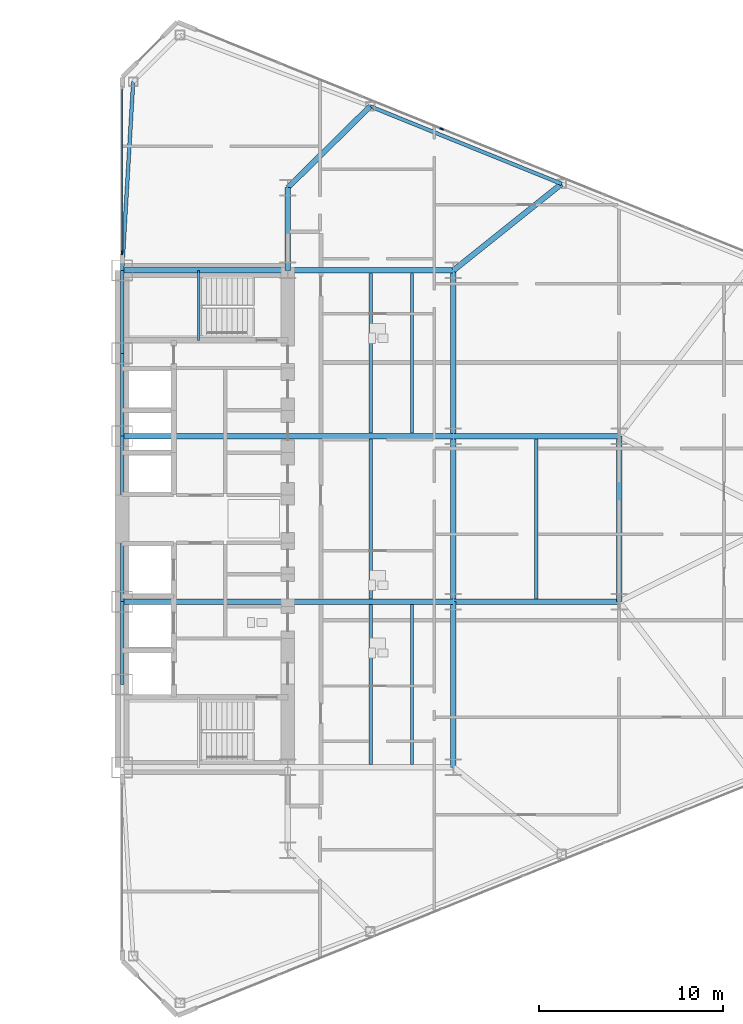
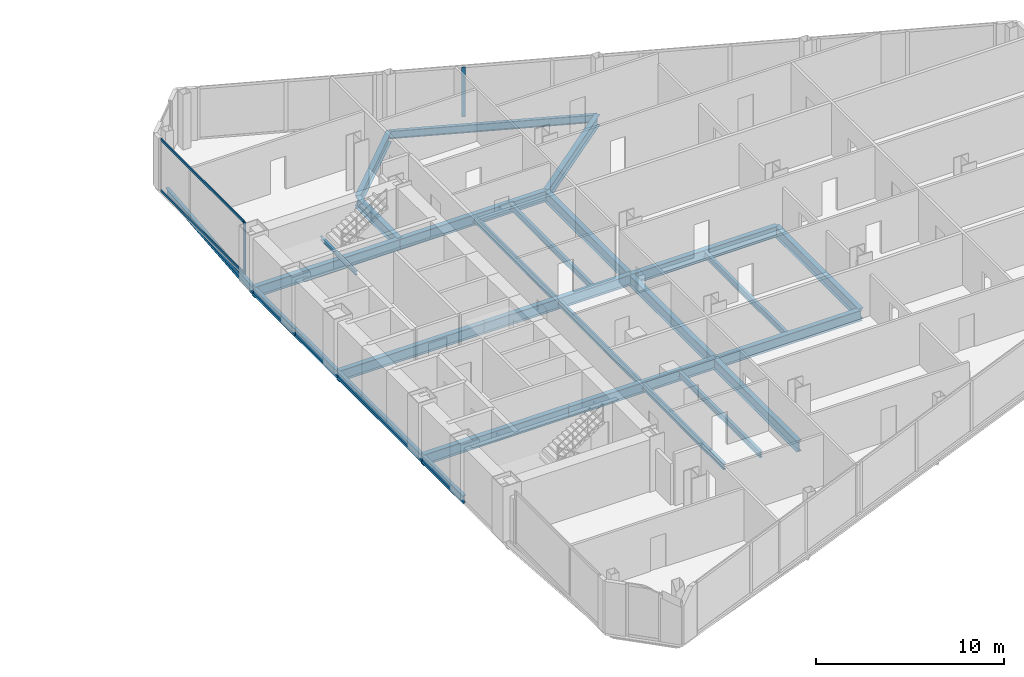
# One storey, part 11 of 25: 28 beams, 4 members, 2 elements without a shape of their own.
"""IFC4 building model written with IfcOpenShell, lengths in metres."""

import ifcopenshell
import ifcopenshell.guid

model = None  # the IFC model being written
_history = None  # IfcOwnerHistory: only IFC2X3 demands one
_inside = {}  # id of a spatial element -> (the spatial element, [elements in it])
_under = {}  # id of a project, library or spatial element -> (it, [spatial elements below it])
_declared = {}  # id of a project -> (the project, [libraries it declares])
_typed = {}  # id of a type object -> (the type object, [elements of that type])
_made_of = {}  # id of a material, layer set ... -> (it, [elements and type objects made of it])


def new_model(schema):
    """Start an empty IFC model of exactly this schema.

    Asked for "IFC4X3", IfcOpenShell would pick the latest addendum, in which some entities
    have other attributes; the version numbers below select the first issue.
    IFC2X3 requires an IfcOwnerHistory on every rooted entity: one is made here for all.
    """
    global model, _history
    if schema == "IFC4X3":
        model = ifcopenshell.file(schema_version=(4, 3, 0, 0))
    else:
        model = ifcopenshell.file(schema=schema)
    _inside.clear()
    _under.clear()
    _declared.clear()
    _typed.clear()
    _made_of.clear()
    _history = None
    if model.schema == "IFC2X3":
        org = make("IfcOrganization", Name="unknown")
        user = make(
            "IfcPersonAndOrganization",
            ThePerson=make("IfcPerson", FamilyName="unknown"),
            TheOrganization=org,
        )
        app = make(
            "IfcApplication",
            ApplicationDeveloper=org,
            Version="unknown",
            ApplicationFullName="unknown",
            ApplicationIdentifier="unknown",
        )
        _history = make(
            "IfcOwnerHistory",
            OwningUser=user,
            OwningApplication=app,
            ChangeAction="ADDED",
            CreationDate=0,
        )
    return model


def make(cls, **values):
    """One entity of the class cls with the attributes given. An attribute that is None is left unset."""
    return model.create_entity(
        cls, **{name: value for name, value in values.items() if value is not None}
    )


def rooted(cls, **values):
    """An entity with a GlobalId (a new one), such as an element, a storey or a relation."""
    return make(cls, GlobalId=ifcopenshell.guid.new(), OwnerHistory=_history, **values)


def si_unit(unit_type, name, prefix=None):
    """IfcSIUnit, for example si_unit("LENGTHUNIT", "METRE", prefix="MILLI")."""
    return make("IfcSIUnit", UnitType=unit_type, Prefix=prefix, Name=name)


def assignment(units):
    """IfcUnitAssignment: the units of a project."""
    return None if units is None else make("IfcUnitAssignment", Units=units)


def point(xyz):
    """IfcCartesianPoint."""
    return None if xyz is None else make("IfcCartesianPoint", Coordinates=xyz)


def direction(xyz):
    """IfcDirection."""
    return None if xyz is None else make("IfcDirection", DirectionRatios=xyz)


def frame(location, z_axis=None, x_axis=None):
    """IfcAxis2Placement3D, a coordinate frame: its origin and axes. An axis left out is left unset."""
    return make(
        "IfcAxis2Placement3D",
        Location=point(location),
        Axis=direction(z_axis),
        RefDirection=direction(x_axis),
    )


def frame_2d(location, x_axis=None):
    """IfcAxis2Placement2D, a coordinate frame in the plane: its origin and x axis."""
    return make(
        "IfcAxis2Placement2D", Location=point(location), RefDirection=direction(x_axis)
    )


def origin():
    """The frame at (0, 0, 0) with its axes left unset."""
    return frame((0.0, 0.0, 0.0))


def origin_2d():
    """The frame at (0, 0) in the plane with its x axis left unset."""
    return frame_2d((0.0, 0.0))


def place(relative_to, where):
    """IfcLocalPlacement: puts the frame where relative to a parent placement (None: the world)."""
    return make(
        "IfcLocalPlacement", PlacementRelTo=relative_to, RelativePlacement=where
    )


def context(
    kind, dimensions, precision=None, world=None, true_north=None, identifier=None
):
    """IfcGeometricRepresentationContext, for example the 3D "Model" context."""
    return make(
        "IfcGeometricRepresentationContext",
        ContextIdentifier=identifier,
        ContextType=kind,
        CoordinateSpaceDimension=dimensions,
        Precision=precision,
        WorldCoordinateSystem=world,
        TrueNorth=true_north,
    )


def subcontext(parent, identifier, kind, view, scale=None):
    """IfcGeometricRepresentationSubContext, for example "Body" below "Model"."""
    return make(
        "IfcGeometricRepresentationSubContext",
        ContextIdentifier=identifier,
        ContextType=kind,
        ParentContext=parent,
        TargetScale=scale,
        TargetView=view,
    )


def project(units=None, contexts=None):
    """IfcProject with its units and contexts."""
    return rooted(
        "IfcProject",
        Name="project",
        RepresentationContexts=contexts,
        UnitsInContext=assignment(units),
    )


def spatial(cls, under=None, at=None, **own):
    """A site, building, storey or space (cls), placed at a placement, below another one or the project."""
    s = rooted(cls, ObjectPlacement=at, **own)
    if under is not None:
        _under.setdefault(under.id(), (under, []))[1].append(s)
    return s


def profile(cls, at=None, kind="AREA", **sizes):
    """A parametric profile (cls). Its sizes go by their IFC names, for example OverallWidth=200.0."""
    return make(cls, ProfileType=kind, Position=at, **sizes)


def rectangle(**sizes):
    """IfcRectangleProfileDef."""
    return profile("IfcRectangleProfileDef", **sizes)


def i_section(**sizes):
    """IfcIShapeProfileDef."""
    return profile("IfcIShapeProfileDef", **sizes)


def extrude(swept, where, along, depth):
    """IfcExtrudedAreaSolid: the profile swept, set in the frame where, extruded along a direction by depth."""
    return make(
        "IfcExtrudedAreaSolid",
        SweptArea=swept,
        Position=where,
        ExtrudedDirection=direction(along),
        Depth=depth,
    )


def shape(context_of_items, identifier, shape_type, items):
    """IfcShapeRepresentation: the items that make up one representation, for example the "Body"."""
    return make(
        "IfcShapeRepresentation",
        ContextOfItems=context_of_items,
        RepresentationIdentifier=identifier,
        RepresentationType=shape_type,
        Items=items,
    )


def source(mapping_origin, context_of_items, identifier, shape_type, items):
    """IfcRepresentationMap: a shape defined once, which mapped items show again and again."""
    return make(
        "IfcRepresentationMap",
        MappingOrigin=mapping_origin,
        MappedRepresentation=shape(context_of_items, identifier, shape_type, items),
    )


def transform(
    local_origin,
    x_axis=None,
    y_axis=None,
    z_axis=None,
    scale=None,
    scale2=None,
    scale3=None,
    uniform=True,
):
    """IfcCartesianTransformationOperator3D, or its non-uniform kind. x_axis, y_axis, z_axis: its Axis1, 2, 3."""
    if uniform:
        return make(
            "IfcCartesianTransformationOperator3D",
            Axis1=direction(x_axis),
            Axis2=direction(y_axis),
            LocalOrigin=point(local_origin),
            Scale=scale,
            Axis3=direction(z_axis),
        )
    return make(
        "IfcCartesianTransformationOperator3DnonUniform",
        Axis1=direction(x_axis),
        Axis2=direction(y_axis),
        LocalOrigin=point(local_origin),
        Scale=scale,
        Axis3=direction(z_axis),
        Scale2=scale2,
        Scale3=scale3,
    )


def mapped(mapping_source, mapping_target):
    """IfcMappedItem: shows the shape of a source again, moved by a transform."""
    return make(
        "IfcMappedItem", MappingSource=mapping_source, MappingTarget=mapping_target
    )


def material(Name=None, Category=None):
    """IfcMaterial."""
    return make("IfcMaterial", Name=Name, Category=Category)


def layer(
    of_material, thickness, ventilated=None, Name=None, Category=None, Priority=None
):
    """IfcMaterialLayer: one layer of a wall or slab, of a material (None: an air gap)."""
    return make(
        "IfcMaterialLayer",
        Material=of_material,
        LayerThickness=thickness,
        IsVentilated=ventilated,
        Name=Name,
        Category=Category,
        Priority=Priority,
    )


def layer_set(layers, Name=None):
    """IfcMaterialLayerSet."""
    return make("IfcMaterialLayerSet", MaterialLayers=layers, LayerSetName=Name)


def material_profile(
    of_material, cross_section, Name=None, Category=None, Priority=None
):
    """IfcMaterialProfile: a cross section and its material."""
    return make(
        "IfcMaterialProfile",
        Name=Name,
        Material=of_material,
        Profile=cross_section,
        Priority=Priority,
        Category=Category,
    )


def profile_set(profiles, Name=None, composite=None):
    """IfcMaterialProfileSet."""
    return make(
        "IfcMaterialProfileSet",
        Name=Name,
        MaterialProfiles=profiles,
        CompositeProfile=composite,
    )


def made_of(thing, what):
    """Note that an element or type object is made of a material, layer set ...; save() writes the relation."""
    if what is not None:
        _made_of.setdefault(what.id(), (what, []))[1].append(thing)
    return thing


def type_object(cls, material=None, **own):
    """A type object (cls), such as IfcWallType, which elements share."""
    return made_of(rooted(cls, **own), material)


def type_shapes(of_type, sources):
    """Give a type object the sources (RepresentationMaps) that its elements show as mapped items."""
    of_type.RepresentationMaps = sources


def element(
    cls,
    number,
    at=None,
    inside=None,
    cuts=None,
    type_object=None,
    material=None,
    context=None,
    identifier="Body",
    shape_type=None,
    held_by="IfcProductDefinitionShape",
    body=None,
    shapes=None,
    **own,
):
    """One element of the class cls, such as IfcWall. Its Tag is "e" and its number.

    at: its placement. inside: the storey or other place that contains it. cuts: it is an
    opening in that element (IfcRelVoidsElement). A single representation is given by context,
    identifier, shape_type and body (its items); several are given by shapes. held_by: the class
    of the entity that holds the representations. save() writes the other relations.
    """
    e = rooted(cls, Tag="e%d" % number, ObjectPlacement=at, **own)
    if body is not None:
        shapes = [shape(context, identifier, shape_type, body)]
    if shapes is not None:
        e.Representation = make(held_by, Representations=shapes)
    if inside is not None:
        _inside.setdefault(inside.id(), (inside, []))[1].append(e)
    if cuts is not None:
        rooted(
            "IfcRelVoidsElement", RelatingBuildingElement=cuts, RelatedOpeningElement=e
        )
    if type_object is not None:
        _typed.setdefault(type_object.id(), (type_object, []))[1].append(e)
    return made_of(e, material)


def aggregate(whole, parts):
    """IfcRelAggregates: a whole, such as a stair, and the parts it consists of."""
    return rooted("IfcRelAggregates", RelatingObject=whole, RelatedObjects=parts)


def save(model, path):
    """Write the relations noted so far, then the file.

    IfcRelAggregates (storeys below a building ...), IfcRelContainedInSpatialStructure (elements
    in a storey), IfcRelDefinesByType, IfcRelAssociatesMaterial and IfcRelDeclares: one each for
    every whole, place, type object, material and project.
    """
    for whole, parts in _under.values():
        aggregate(whole, parts)
    for where, things in _inside.values():
        rooted(
            "IfcRelContainedInSpatialStructure",
            RelatedElements=things,
            RelatingStructure=where,
        )
    for kind, things in _typed.values():
        rooted("IfcRelDefinesByType", RelatedObjects=things, RelatingType=kind)
    for what, things in _made_of.values():
        rooted("IfcRelAssociatesMaterial", RelatedObjects=things, RelatingMaterial=what)
    for by, libraries in _declared.values():
        rooted("IfcRelDeclares", RelatingContext=by, RelatedDefinitions=libraries)
    model.write(path)


model = new_model("IFC4")

# Units and contexts
model_context = context("Model", 3, precision=1e-05, world=origin(), true_north=direction((0.0, 1.0)))
body_context = subcontext(model_context, "Body", "Model", "MODEL_VIEW")
ifc_project = project(units=[si_unit("LENGTHUNIT", "METRE"), si_unit("AREAUNIT", "SQUARE_METRE"), si_unit("VOLUMEUNIT", "CUBIC_METRE"), si_unit("PLANEANGLEUNIT", "RADIAN"), si_unit("MASSUNIT", "GRAM", prefix="KILO")], contexts=[model_context])

# Site, building, storey
site_placement = place(None, origin())
site = spatial("IfcSite", under=ifc_project, at=site_placement, CompositionType="ELEMENT")
building_placement = place(site_placement, origin())
building = spatial("IfcBuilding", under=site, at=building_placement, Name="Seokmaru Belvedere", CompositionType="ELEMENT")
storey_placement = place(building_placement, frame((0.0, 0.0, 54.89990234375)))
storey = spatial("IfcBuildingStorey", under=building, at=storey_placement, Name="L14", CompositionType="ELEMENT", Elevation=54.89990234375)

# Beams
ifc_material_1 = material(Name="Steel SM355 (355 MPa)", Category="steel")
ifc_material_profile_1 = material_profile(ifc_material_1, i_section(OverallWidth=0.199951171875, OverallDepth=0.5, WebThickness=0.010009765625, FlangeThickness=0.01611328125, at=origin_2d()), Name="H-500x200x10x16")
ifc_profile_set_1 = profile_set([ifc_material_profile_1], Name="Steel SM355 (355 MPa)")
beam_type_1 = type_object("IfcBeamType", Name="Perimeter Spandrel Beam H-500", PredefinedType="SPANDREL", material=ifc_profile_set_1)
shared_shape_1 = source(origin(), body_context, "Body", "SweptSolid", [
    extrude(i_section(OverallWidth=0.199951171875, OverallDepth=0.5, WebThickness=0.010009765625, FlangeThickness=0.01611328125, at=origin_2d()), origin(), (0.0, 0.0, 1.0), 4.5),
])
for number, where, z_axis, x_axis, name in (
    (1, (27.5, -9.0, -0.469970703125), (0.0, 1.0, 0.0), (-1.0, 0.0, 0.0), "L14 E Portal Spine Spandrel 2"),
    (2, (27.5, 4.5, -0.469970703125), (0.0, 1.0, 0.0), (-1.0, 0.0, 0.0), "L14 E Portal Spine Spandrel 4"),
    (3, (27.5, 9.0, -0.469970703125), (0.0, 1.0, 0.0), (-1.0, 0.0, 0.0), "L14 E Portal Spine Spandrel 5"),
):
    element("IfcBeam", number, at=place(storey_placement, frame(where, z_axis=z_axis, x_axis=x_axis)), inside=storey, type_object=beam_type_1, Name=name, PredefinedType="SPANDREL", context=body_context, shape_type="MappedRepresentation", body=[
        mapped(shared_shape_1, transform((0.0, 0.0, 0.0), scale=1.0)),
    ])
shared_shape_2 = source(origin(), body_context, "Body", "SweptSolid", [
    extrude(i_section(OverallWidth=0.199951171875, OverallDepth=0.5, WebThickness=0.010009765625, FlangeThickness=0.01611328125, at=origin_2d()), origin(), (0.0, 0.0, 1.0), 9.0),
])
beam_1_placement = place(storey_placement, frame((27.5, -4.5, -0.469970703125), z_axis=(0.0, 1.0, 0.0), x_axis=(-1.0, 0.0, 0.0)))
element("IfcBeam", 4, at=beam_1_placement, inside=storey, type_object=beam_type_1, Name="L14 E Portal Spine Spandrel 3", PredefinedType="SPANDREL", context=body_context, shape_type="MappedRepresentation", body=[
    mapped(shared_shape_2, transform((0.0, 0.0, 0.0), scale=1.0)),
])
ifc_material_profile_2 = material_profile(ifc_material_1, i_section(OverallWidth=0.300048828125, OverallDepth=0.699951171875, WebThickness=0.012939453125, FlangeThickness=0.02392578125, at=origin_2d()), Name="H-700x300x13x24")
ifc_profile_set_2 = profile_set([ifc_material_profile_2], Name="Steel SM355 (355 MPa)")
beam_type_2 = type_object("IfcBeamType", Name="Primary Floor Girder H-700", PredefinedType="BEAM", material=ifc_profile_set_2)
shared_shape_3 = source(origin(), body_context, "Body", "SweptSolid", [
    extrude(i_section(OverallWidth=0.300048828125, OverallDepth=0.699951171875, WebThickness=0.012939453125, FlangeThickness=0.02392578125, at=origin_2d()), origin(), (0.0, 0.0, 1.0), 4.5),
])
beam_2_placement = place(storey_placement, frame((36.5, 13.5, -0.56982421875), z_axis=(0.0, 1.0, 0.0), x_axis=(-1.0, 0.0, 0.0)))
element("IfcBeam", 5, at=beam_2_placement, inside=storey, type_object=beam_type_2, Name="L14 E Core Shoulder Girder N", PredefinedType="BEAM", context=body_context, shape_type="MappedRepresentation", body=[
    mapped(shared_shape_3, transform((0.0, 0.0, 0.0), scale=1.0)),
])
shared_shape_4 = source(origin(), body_context, "Body", "SweptSolid", [
    extrude(i_section(OverallWidth=0.300048828125, OverallDepth=0.699951171875, WebThickness=0.012939453125, FlangeThickness=0.02392578125, at=origin_2d()), origin(), (0.0, 0.0, 1.0), 9.0),
])
for number, where, z_axis, x_axis, name in (
    (6, (45.5, -13.5, -0.56982421875), (0.0, 1.0, 0.0), (-1.0, 0.0, 0.0), "L14 E Interior Grid Girder 1"),
    (7, (45.5, -4.5, -0.56982421875), (0.0, 1.0, 0.0), (-1.0, 0.0, 0.0), "L14 E Interior Grid Girder 2"),
    (8, (45.5, 4.5, -0.56982421875), (0.0, 1.0, 0.0), (-1.0, 0.0, 0.0), "L14 E Interior Grid Girder 3"),
    (9, (27.5, -4.5, -0.56982421875), (1.0, 0.0, 0.0), (0.0, 1.0, 0.0), "L14 E Core Tie Girder 2"),
    (10, (36.5, -4.5, -0.56982421875), (1.0, 0.0, 0.0), (0.0, 1.0, 0.0), "L14 E Wing Primary Girder 2"),
    (11, (27.5, 4.5, -0.56982421875), (1.0, 0.0, 0.0), (0.0, 1.0, 0.0), "L14 E Core Tie Girder 3"),
    (12, (36.5, 4.5, -0.56982421875), (1.0, 0.0, 0.0), (0.0, 1.0, 0.0), "L14 E Wing Primary Girder 3"),
    (13, (27.5, 13.5, -0.56982421875), (1.0, 0.0, 0.0), (0.0, 1.0, 0.0), "L14 E Core Tie Girder 4"),
    (14, (36.5, 13.5, -0.56982421875), (1.0, 0.0, 0.0), (0.0, 1.0, 0.0), "L14 E Wing Primary Girder 4"),
    (15, (45.5, -4.5, -0.56982421875), (1.0, 0.0, 0.0), (0.0, 1.0, 0.0), "L14 E Outer Wing Girder 1"),
    (16, (45.5, 4.5, -0.56982421875), (1.0, 0.0, 0.0), (0.0, 1.0, 0.0), "L14 E Outer Wing Girder 2"),
    (17, (54.5, -4.5, -0.56982421875), (0.0, 1.0, 0.0), (-1.0, 0.0, 0.0), "L14 E Apex Frame Girder"),
):
    element("IfcBeam", number, at=place(storey_placement, frame(where, z_axis=z_axis, x_axis=x_axis)), inside=storey, type_object=beam_type_2, Name=name, PredefinedType="BEAM", context=body_context, shape_type="MappedRepresentation", body=[
        mapped(shared_shape_4, transform((0.0, 0.0, 0.0), scale=1.0)),
    ])
ifc_material_profile_3 = material_profile(ifc_material_1, i_section(OverallWidth=0.18505859375, OverallDepth=0.389892578125, WebThickness=0.008056640625, FlangeThickness=0.011962890625, at=origin_2d()), Name="H-390x185x8x12")
ifc_profile_set_3 = profile_set([ifc_material_profile_3], Name="Steel SM355 (355 MPa)")
beam_type_3 = type_object("IfcBeamType", Name="Secondary Floor Joist H-350", PredefinedType="JOIST", material=ifc_profile_set_3)
shared_shape_5 = source(origin(), body_context, "Body", "SweptSolid", [
    extrude(i_section(OverallWidth=0.18505859375, OverallDepth=0.389892578125, WebThickness=0.008056640625, FlangeThickness=0.011962890625, at=origin_2d()), origin(), (0.0, 0.0, 1.0), 8.68994140625),
])
type_shapes(beam_type_3, [shared_shape_5])
for number, where, z_axis, x_axis, name in (
    (18, (43.25, -13.344970703125, -0.414794921875), (0.0, 1.0, 0.0), (-1.0, 0.0, 0.0), "L14 E Wing Inner Secondary Joist 1"),
    (19, (43.25, 4.655029296875, -0.414794921875), (0.0, 1.0, 0.0), (-1.0, 0.0, 0.0), "L14 E Wing Inner Secondary Joist 2"),
    (20, (41.0, -13.344970703125, -0.414794921875), (0.0, 1.0, 0.0), (-1.0, 0.0, 0.0), "L14 E Secondary Floor Joist 1"),
    (21, (41.0, -4.344970703125, -0.414794921875), (0.0, 1.0, 0.0), (-1.0, 0.0, 0.0), "L14 E Secondary Floor Joist 2"),
    (22, (41.0, 4.655029296875, -0.414794921875), (0.0, 1.0, 0.0), (-1.0, 0.0, 0.0), "L14 E Secondary Floor Joist 3"),
    (23, (50.0, -4.344970703125, -0.414794921875), (0.0, 1.0, 0.0), (-1.0, 0.0, 0.0), "L14 E Outer Bay Secondary Joist"),
):
    element("IfcBeam", number, at=place(storey_placement, frame(where, z_axis=z_axis, x_axis=x_axis)), inside=storey, type_object=beam_type_3, Name=name, PredefinedType="JOIST", context=body_context, shape_type="MappedRepresentation", body=[
        mapped(shared_shape_5, transform((0.0, 0.0, 0.0), scale=1.0)),
    ])
shared_shape_6 = source(origin(), body_context, "Body", "SweptSolid", [
    extrude(i_section(OverallWidth=0.199951171875, OverallDepth=0.5, WebThickness=0.010009765625, FlangeThickness=0.01611328125, at=origin_2d()), origin(), (0.0, 0.0, 1.0), 11.220703125),
])
beam_3_placement = place(storey_placement, frame((40.977294921875, 22.4140625, -0.469970703125), z_axis=(0.926944290816, -0.375198989503, 0.0), x_axis=(0.375198989503, 0.926944290816, 0.0)))
element("IfcBeam", 24, at=beam_3_placement, inside=storey, type_object=beam_type_1, Name="L14 E Faceted Flank Spandrel N-2", PredefinedType="SPANDREL", context=body_context, shape_type="MappedRepresentation", body=[
    mapped(shared_shape_6, transform((0.0, 0.0, 0.0), scale=1.0)),
])
shared_shape_7 = source(origin(), body_context, "Body", "SweptSolid", [
    extrude(i_section(OverallWidth=0.199951171875, OverallDepth=0.5, WebThickness=0.010009765625, FlangeThickness=0.01611328125, at=origin_2d()), origin(), (0.0, 0.0, 1.0), 10.26904296875),
])
type_shapes(beam_type_1, [shared_shape_1, shared_shape_2, shared_shape_6, shared_shape_7])
beam_4_placement = place(storey_placement, frame((28.10009765625, 23.75146484375, -0.469970703125), z_axis=(-0.058437709399, -0.998291056817, 0.0), x_axis=(0.998291056817, -0.058437709399, 0.0)))
element("IfcBeam", 25, at=beam_4_placement, inside=storey, type_object=beam_type_1, Name="L14 E Shoulder Spine Spandrel N", PredefinedType="SPANDREL", context=body_context, shape_type="MappedRepresentation", body=[
    mapped(shared_shape_7, transform((0.0, 0.0, 0.0), scale=1.0)),
])
shared_shape_8 = source(origin(), body_context, "Body", "SweptSolid", [
    extrude(i_section(OverallWidth=0.300048828125, OverallDepth=0.699951171875, WebThickness=0.012939453125, FlangeThickness=0.02392578125, at=origin_2d()), origin(), (0.0, 0.0, 1.0), 6.287353515625),
])
beam_5_placement = place(storey_placement, frame((40.977294921875, 22.4140625, -0.56982421875), z_axis=(-0.712117485263, -0.702060315915, 0.0), x_axis=(0.702060315915, -0.712117485263, 0.0)))
element("IfcBeam", 26, at=beam_5_placement, inside=storey, type_object=beam_type_2, Name="L14 E Flank Radial Floor Girder N-1", PredefinedType="BEAM", context=body_context, shape_type="MappedRepresentation", body=[
    mapped(shared_shape_8, transform((0.0, 0.0, 0.0), scale=1.0)),
])
shared_shape_9 = source(origin(), body_context, "Body", "SweptSolid", [
    extrude(i_section(OverallWidth=0.300048828125, OverallDepth=0.699951171875, WebThickness=0.012939453125, FlangeThickness=0.02392578125, at=origin_2d()), origin(), (0.0, 0.0, 1.0), 7.52880859375),
])
type_shapes(beam_type_2, [shared_shape_3, shared_shape_4, shared_shape_8, shared_shape_9])
beam_6_placement = place(storey_placement, frame((51.378173828125, 18.2041015625, -0.56982421875), z_axis=(-0.780767560736, -0.624821587418, 0.0), x_axis=(0.624821587418, -0.780767560736, 0.0)))
element("IfcBeam", 27, at=beam_6_placement, inside=storey, type_object=beam_type_2, Name="L14 E Flank Radial Floor Girder N-2", PredefinedType="BEAM", context=body_context, shape_type="MappedRepresentation", body=[
    mapped(shared_shape_9, transform((0.0, 0.0, 0.0), scale=1.0)),
])

# Curtain wall, members
ifc_material_2 = material(Name="Bronze Triple Insulating Glass", Category="glass")
ifc_layer = layer(ifc_material_2, 0.2099609375)
ifc_layer_set = layer_set([ifc_layer], Name="Bronze Triple Insulating Glass")
curtain_wall_type = type_object("IfcCurtainWallType", Name="Low-Rise Faceted Crystal Curtain Wall System CW-2", PredefinedType="NOTDEFINED", material=ifc_layer_set)
curtain_wall_1_placement = place(storey_placement, origin())
curtain_wall_1 = element("IfcCurtainWall", 28, at=curtain_wall_1_placement, inside=storey, type_object=curtain_wall_type, Name="L14 Curtain Wall ESP_2", PredefinedType="NOTDEFINED")
ifc_material_3 = material(Name="Anodised Bronze Aluminium", Category="aluminium")
ifc_material_profile_4 = material_profile(ifc_material_3, rectangle(XDim=0.074951171875, YDim=0.2099609375, at=origin_2d()), Name="CW-M-75x210")
ifc_profile_set_4 = profile_set([ifc_material_profile_4], Name="Anodised Bronze Aluminium")
member_type_1 = type_object("IfcMemberType", Name="Bronze Unitised Mullion 75x210", PredefinedType="MULLION", material=ifc_profile_set_4)
shared_shape_10 = source(origin(), body_context, "Body", "SweptSolid", [
    extrude(rectangle(XDim=0.074951171875, YDim=0.2099609375, at=origin_2d()), origin(), (0.0, 0.0, 1.0), 3.380126953125),
])
member_1_placement = place(storey_placement, frame((27.5, 14.467529296875, 0.0), z_axis=(0.0, 0.0, 1.0), x_axis=(1.0, 0.0, 0.0)))
member_1 = element("IfcMember", 29, at=member_1_placement, type_object=member_type_1, Name="CW:L14:ESP_2 Mullion 2", PredefinedType="MULLION", context=body_context, shape_type="MappedRepresentation", body=[
    mapped(shared_shape_10, transform((0.0, 0.0, 0.0), scale=1.0)),
])
ifc_material_profile_5 = material_profile(ifc_material_3, rectangle(XDim=0.070068359375, YDim=0.1650390625, at=origin_2d()), Name="CW-T-70x165")
ifc_profile_set_5 = profile_set([ifc_material_profile_5], Name="Anodised Bronze Aluminium")
member_type_2 = type_object("IfcMemberType", Name="Bronze Unitised Transom 70x165", PredefinedType="USERDEFINED", material=ifc_profile_set_5)
shared_shape_11 = source(origin(), body_context, "Body", "SweptSolid", [
    extrude(rectangle(XDim=0.070068359375, YDim=0.1650390625, at=origin_2d()), origin(), (0.0, 0.0, 1.0), 8.85009765625),
])
type_shapes(member_type_2, [shared_shape_11])
member_2_placement = place(storey_placement, frame((27.5, 23.35498046875, 0.03515625), z_axis=(0.0, -1.0, 0.0), x_axis=(1.0, 0.0, 0.0)))
member_2 = element("IfcMember", 30, at=member_2_placement, type_object=member_type_2, Name="CW:L14:ESP_2 Continuous Transom 1", ObjectType="TRANSOM", PredefinedType="USERDEFINED", context=body_context, shape_type="MappedRepresentation", body=[
    mapped(shared_shape_11, transform((0.0, 0.0, 0.0), scale=1.0)),
])
member_3_placement = place(storey_placement, frame((27.5, 23.35498046875, 3.34521484375), z_axis=(0.0, -1.0, 0.0), x_axis=(1.0, 0.0, 0.0)))
member_3 = element("IfcMember", 31, at=member_3_placement, type_object=member_type_2, Name="CW:L14:ESP_2 Continuous Transom 2", ObjectType="TRANSOM", PredefinedType="USERDEFINED", context=body_context, shape_type="MappedRepresentation", body=[
    mapped(shared_shape_11, transform((0.0, 0.0, 0.0), scale=1.0)),
])
aggregate(curtain_wall_1, [member_1, member_2, member_3])

# Curtain wall, member
curtain_wall_2_placement = place(storey_placement, origin())
curtain_wall_2 = element("IfcCurtainWall", 32, at=curtain_wall_2_placement, inside=storey, type_object=curtain_wall_type, Name="L14 Curtain Wall EF3", PredefinedType="NOTDEFINED")
shared_shape_12 = source(origin(), body_context, "Body", "SweptSolid", [
    extrude(rectangle(XDim=0.074951171875, YDim=0.2099609375, at=origin_2d()), origin(), (0.0, 0.0, 1.0), 3.239990234375),
])
type_shapes(member_type_1, [shared_shape_10, shared_shape_12])
member_4_placement = place(storey_placement, frame((44.855224609375, 21.189453125, 0.070068359375), z_axis=(0.0, 0.0, 1.0), x_axis=(-0.375192321888, -0.926946989637, 0.0)))
member_4 = element("IfcMember", 33, at=member_4_placement, type_object=member_type_1, Name="CW:L14:EF3 Mullion 7", PredefinedType="MULLION", context=body_context, shape_type="MappedRepresentation", body=[
    mapped(shared_shape_12, transform((0.0, 0.0, 0.0), scale=1.0)),
])
aggregate(curtain_wall_2, [member_4])

# Beam
ifc_material_profile_6 = material_profile(ifc_material_1, i_section(OverallWidth=0.125, OverallDepth=0.25, WebThickness=0.006103515625, FlangeThickness=0.009033203125, at=origin_2d()), Name="H-250x125x6x9")
ifc_profile_set_6 = profile_set([ifc_material_profile_6], Name="Steel SM355 (355 MPa)")
beam_type_4 = type_object("IfcBeamType", Name="Stair Mid-Landing Support Beam H-250", PredefinedType="JOIST", material=ifc_profile_set_6)
shared_shape_13 = source(origin(), body_context, "Body", "SweptSolid", [
    extrude(i_section(OverallWidth=0.125, OverallDepth=0.25, WebThickness=0.006103515625, FlangeThickness=0.009033203125, at=origin_2d()), origin(), (0.0, 0.0, 1.0), 3.800048828125),
])
type_shapes(beam_type_4, [shared_shape_13])
beam_7_placement = place(storey_placement, frame((31.64990234375, 9.699951171875, 1.47509765625), z_axis=(0.0, 1.0, 0.0), x_axis=(-1.0, 0.0, 0.0)))
element("IfcBeam", 34, at=beam_7_placement, inside=storey, type_object=beam_type_4, Name="L14 Stair ST-E2 Mid-Landing Support Beam 1", PredefinedType="JOIST", context=body_context, shape_type="MappedRepresentation", body=[
    mapped(shared_shape_13, transform((0.0, 0.0, 0.0), scale=1.0)),
])

save(model, "model.ifc")
